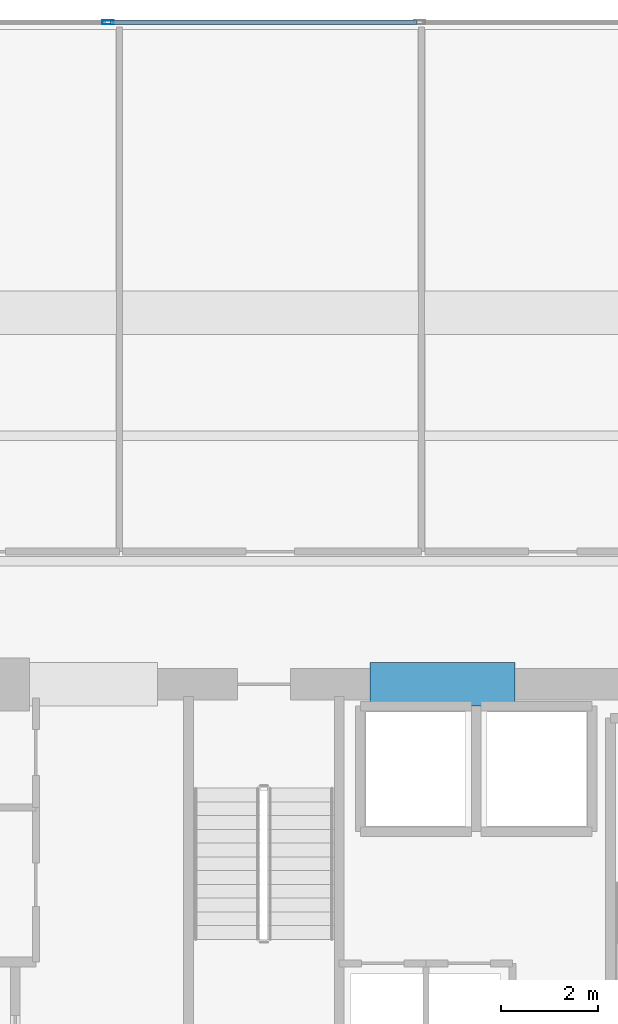
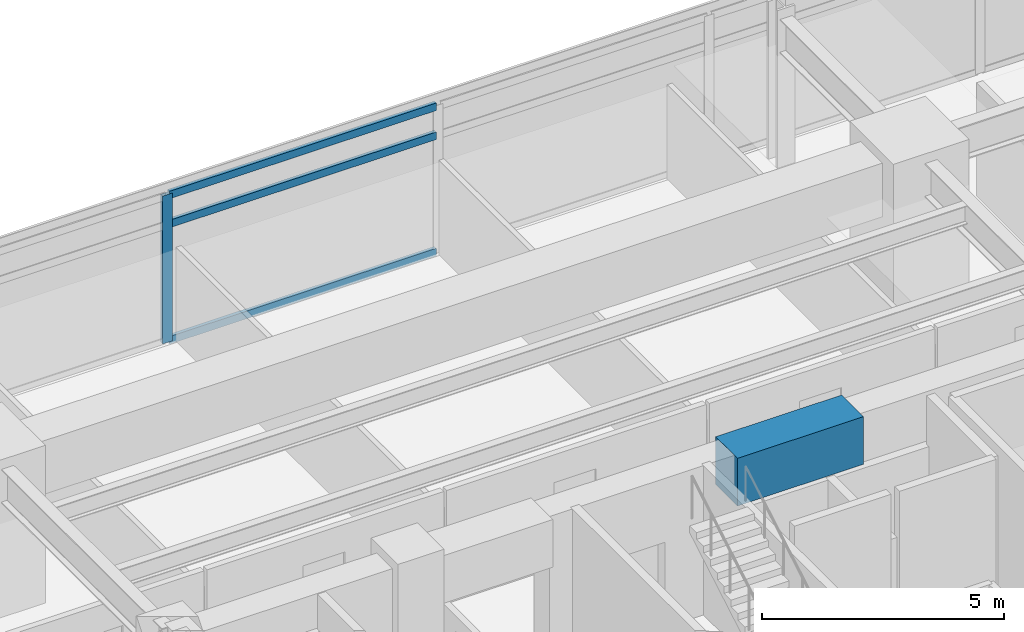
# One storey, part 11 of 24: 4 members, 1 beam, 1 element without a shape of its own.
"""IFC4 building model written with IfcOpenShell, lengths in metres."""

from ifc_helpers import new_model, si_unit, direction, frame, origin, origin_2d, place, context, subcontext, project, spatial, rectangle, hollow_rectangle, extrude, material, material_profile, profile_set, type_object, element, aggregate, save


model = new_model("IFC4")

# Units and contexts
model_context = context("Model", 3, precision=1e-05, world=origin(), true_north=direction((0.0, 1.0)))
body_context = subcontext(model_context, "Body", "Model", "MODEL_VIEW")
ifc_project = project(units=[si_unit("LENGTHUNIT", "METRE"), si_unit("AREAUNIT", "SQUARE_METRE"), si_unit("VOLUMEUNIT", "CUBIC_METRE"), si_unit("PLANEANGLEUNIT", "RADIAN"), si_unit("MASSUNIT", "GRAM", prefix="KILO")], contexts=[model_context])

# Site, building, storey
site_placement = place(None, origin())
site = spatial("IfcSite", under=ifc_project, at=site_placement, CompositionType="ELEMENT")
building_placement = place(site_placement, origin())
building = spatial("IfcBuilding", under=site, at=building_placement, Name="Kovane Verandah Tower", CompositionType="ELEMENT")
storey_placement = place(building_placement, frame((0.0, 0.0, 95.60009765625)))
storey = spatial("IfcBuildingStorey", under=building, at=storey_placement, Name="L22", CompositionType="ELEMENT", Elevation=95.60009765625)

# Beam
ifc_material_1 = material(Name="Concrete C80/95", Category="concrete")
ifc_material_profile_1 = material_profile(ifc_material_1, rectangle(XDim=0.89990234375, YDim=1.199951171875, at=origin_2d()), Name="RCB900x1200")
ifc_profile_set_1 = profile_set([ifc_material_profile_1], Name="Concrete C80/95")
beam_type = type_object("IfcBeamType", Name="BM-LINTEL-900x1200", PredefinedType="LINTEL", material=ifc_profile_set_1)
beam_placement = place(storey_placement, frame((42.199951171875, 36.5, 3.159912109375), z_axis=(1.0, 0.0, 0.0), x_axis=(0.0, 1.0, 0.0)))
element("IfcBeam", 1, at=beam_placement, inside=storey, type_object=beam_type, Name="L22 Core Coupling Lintel CL-N2", PredefinedType="LINTEL", context=body_context, shape_type="SweptSolid", body=[
    extrude(rectangle(XDim=0.89990234375, YDim=1.199951171875, at=origin_2d()), origin(), (0.0, 0.0, 1.0), 3.0),
])

# Curtain wall, members
ifc_material_2 = material(Name="Champagne Anodised Aluminium Frame with Low-E Clear Laminated Glass", Category="aluminium")
curtain_wall_type = type_object("IfcCurtainWallType", Name="CW-SYS-02-LOW", PredefinedType="NOTDEFINED", material=ifc_material_2)
curtain_wall_placement = place(storey_placement, origin())
curtain_wall = element("IfcCurtainWall", 2, at=curtain_wall_placement, inside=storey, type_object=curtain_wall_type, Name="L22 N Unitised Curtain Wall", PredefinedType="NOTDEFINED")
ifc_material_3 = material(Name="Champagne Anodised Aluminium 6063-T6", Category="aluminium")
ifc_material_profile_2 = material_profile(ifc_material_3, hollow_rectangle(XDim=0.0849609375, YDim=0.22998046875, WallThickness=0.00390625, at=origin_2d()), Name="AL85x230x4")
ifc_profile_set_2 = profile_set([ifc_material_profile_2], Name="Champagne Anodised Aluminium 6063-T6")
member_type_1 = type_object("IfcMemberType", Name="CW-MUL-85x230", PredefinedType="MULLION", material=ifc_profile_set_2)
member_1_placement = place(storey_placement, frame((36.773193359375, 50.2109375, 0.02001953125), z_axis=(0.0, 0.0, 1.0), x_axis=(0.0, 1.0, 0.0)))
member_1 = element("IfcMember", 3, at=member_1_placement, type_object=member_type_1, Name="L22 N Unitised Curtain Wall Mullion 5", PredefinedType="MULLION", context=body_context, shape_type="SweptSolid", body=[
    extrude(hollow_rectangle(XDim=0.0849609375, YDim=0.22998046875, WallThickness=0.00390625, at=origin_2d()), origin(), (0.0, 0.0, 1.0), 3.719970703125),
])
ifc_material_profile_3 = material_profile(ifc_material_3, hollow_rectangle(XDim=0.0849609375, YDim=0.18994140625, WallThickness=0.00390625, at=origin_2d()), Name="AL85x190x4")
ifc_profile_set_3 = profile_set([ifc_material_profile_3], Name="Champagne Anodised Aluminium 6063-T6")
member_type_2 = type_object("IfcMemberType", Name="CW-TRN-85x190", PredefinedType="USERDEFINED", material=ifc_profile_set_3)
member_2_placement = place(storey_placement, frame((43.1767578125, 50.2109375, 0.0498046875), z_axis=(-1.0, 0.0, 0.0), x_axis=(0.0, -1.0, 0.0)))
member_2 = element("IfcMember", 4, at=member_2_placement, type_object=member_type_2, Name="L22 N Unitised Curtain Wall Transom TB Bay 4", ObjectType="TRANSOM", PredefinedType="USERDEFINED", context=body_context, shape_type="SweptSolid", body=[
    extrude(hollow_rectangle(XDim=0.0849609375, YDim=0.18994140625, WallThickness=0.00390625, at=origin_2d()), origin(), (0.0, 0.0, 1.0), 6.353515625),
])
member_3_placement = place(storey_placement, frame((43.1767578125, 50.2109375, 2.97998046875), z_axis=(-1.0, 0.0, 0.0), x_axis=(0.0, -1.0, 0.0)))
member_3 = element("IfcMember", 5, at=member_3_placement, type_object=member_type_2, Name="L22 N Unitised Curtain Wall Transom TM Bay 4", ObjectType="TRANSOM", PredefinedType="USERDEFINED", context=body_context, shape_type="SweptSolid", body=[
    extrude(hollow_rectangle(XDim=0.0849609375, YDim=0.18994140625, WallThickness=0.00390625, at=origin_2d()), origin(), (0.0, 0.0, 1.0), 6.353515625),
])
member_4_placement = place(storey_placement, frame((43.1767578125, 50.2109375, 3.7099609375), z_axis=(-1.0, 0.0, 0.0), x_axis=(0.0, -1.0, 0.0)))
member_4 = element("IfcMember", 6, at=member_4_placement, type_object=member_type_2, Name="L22 N Unitised Curtain Wall Transom TT Bay 4", ObjectType="TRANSOM", PredefinedType="USERDEFINED", context=body_context, shape_type="SweptSolid", body=[
    extrude(hollow_rectangle(XDim=0.0849609375, YDim=0.18994140625, WallThickness=0.00390625, at=origin_2d()), origin(), (0.0, 0.0, 1.0), 6.353515625),
])
aggregate(curtain_wall, [member_1, member_2, member_3, member_4])

save(model, "model.ifc")
